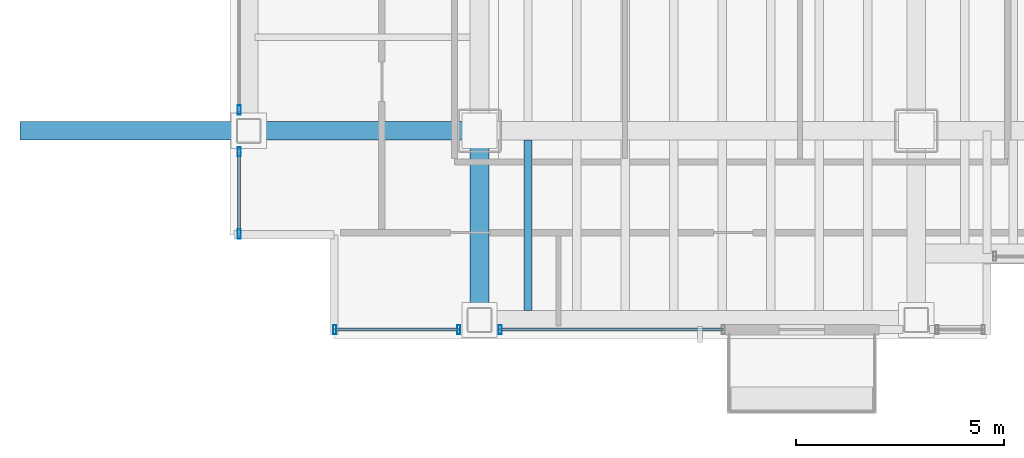
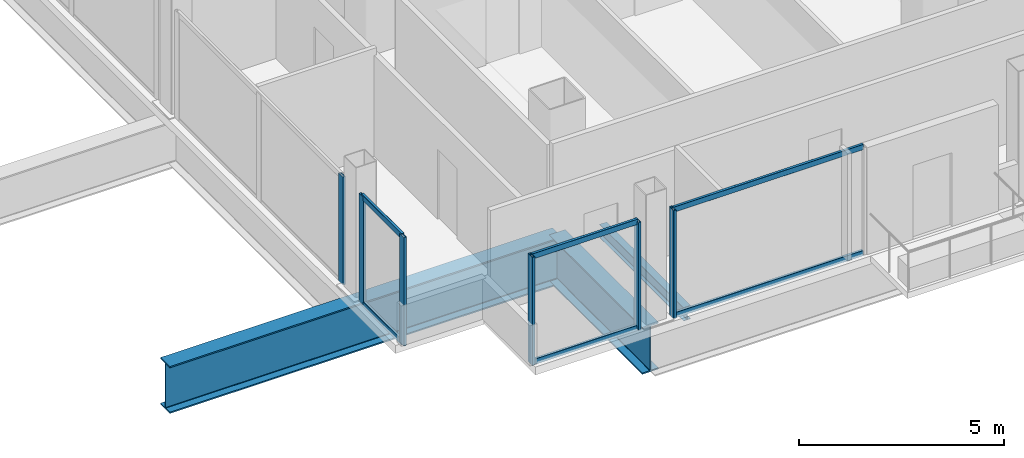
# One storey, part 2 of 23: 12 members, 3 beams, 4 elements without a shape of their own.
"""IFC4 building model written with IfcOpenShell, lengths in metres."""

from ifc_helpers import new_model, si_unit, direction, frame, origin, origin_2d, place, context, subcontext, project, spatial, hollow_rectangle, i_section, extrude, material, material_profile, profile_set, type_object, element, aggregate, save


model = new_model("IFC4")

# Units and contexts
model_context = context("Model", 3, precision=1e-05, world=origin(), true_north=direction((0.0, 1.0)))
body_context = subcontext(model_context, "Body", "Model", "MODEL_VIEW")
ifc_project = project(units=[si_unit("LENGTHUNIT", "METRE"), si_unit("AREAUNIT", "SQUARE_METRE"), si_unit("VOLUMEUNIT", "CUBIC_METRE"), si_unit("PLANEANGLEUNIT", "RADIAN"), si_unit("MASSUNIT", "GRAM", prefix="KILO")], contexts=[model_context])

# Site, building, storey
site_placement = place(None, origin())
site = spatial("IfcSite", under=ifc_project, at=site_placement, CompositionType="ELEMENT")
building_placement = place(site_placement, origin())
building = spatial("IfcBuilding", under=site, at=building_placement, Name="Noeulbin Bourse Tower", CompositionType="ELEMENT")
storey_placement = place(building_placement, frame((0.0, 0.0, 53.800048828125)))
storey = spatial("IfcBuildingStorey", under=building, at=storey_placement, Name="L13", CompositionType="ELEMENT", Elevation=53.800048828125)

# Beams
ifc_material_1 = material(Name="Steel S355", Category="steel")
ifc_material_profile_1 = material_profile(ifc_material_1, i_section(OverallWidth=0.199951171875, OverallDepth=0.39990234375, WebThickness=0.008056640625, FlangeThickness=0.012939453125, FilletRadius=0.01611328125, at=origin_2d()), Name="H-400x200x8x13", Category="LoadBearing")
ifc_profile_set_1 = profile_set([ifc_material_profile_1], Name="Steel S355")
beam_type_1 = type_object("IfcBeamType", Name="BM-SEC-400", PredefinedType="BEAM", material=ifc_profile_set_1)
beam_1_placement = place(storey_placement, frame((14.666748046875, 15.675048828125, -0.43994140625), z_axis=(0.0, 1.0, 0.0), x_axis=(-1.0, 0.0, 0.0)))
element("IfcBeam", 1, at=beam_1_placement, inside=storey, type_object=beam_type_1, Name="Tower Composite Joist L13-01", PredefinedType="BEAM", context=body_context, shape_type="SweptSolid", body=[
    extrude(i_section(OverallWidth=0.199951171875, OverallDepth=0.39990234375, WebThickness=0.008056640625, FlangeThickness=0.012939453125, FilletRadius=0.01611328125, at=origin_2d()), origin(), (0.0, 0.0, 1.0), 4.099853515625),
])
ifc_material_2 = material(Name="Steel S460", Category="steel")
ifc_material_profile_2 = material_profile(ifc_material_2, i_section(OverallWidth=0.449951171875, OverallDepth=1.39990234375, WebThickness=0.02392578125, FlangeThickness=0.0400390625, FilletRadius=0.02392578125, at=origin_2d()), Name="PG-1400x450x24x40", Category="LoadBearing")
ifc_profile_set_2 = profile_set([ifc_material_profile_2], Name="Steel S460")
beam_type_2 = type_object("IfcBeamType", Name="BM-TRF-1400", PredefinedType="USERDEFINED", material=ifc_profile_set_2)
beam_2_placement = place(storey_placement, frame((2.449951171875, 20.0, -0.93994140625), z_axis=(1.0, 0.0, 0.0), x_axis=(0.0, 1.0, 0.0)))
element("IfcBeam", 2, at=beam_2_placement, inside=storey, type_object=beam_type_2, Name="Tower Primary Girder EW L13-1.1", ObjectType="GIRDER", PredefinedType="USERDEFINED", context=body_context, shape_type="SweptSolid", body=[
    extrude(i_section(OverallWidth=0.449951171875, OverallDepth=1.39990234375, WebThickness=0.02392578125, FlangeThickness=0.0400390625, FilletRadius=0.02392578125, at=origin_2d()), origin(), (0.0, 0.0, 1.0), 11.050048828125),
])
beam_3_placement = place(storey_placement, frame((13.5, 15.449951171875, -0.93994140625), z_axis=(0.0, 1.0, 0.0), x_axis=(-1.0, 0.0, 0.0)))
element("IfcBeam", 3, at=beam_3_placement, inside=storey, type_object=beam_type_2, Name="Tower Primary Girder NS L13-1.1", ObjectType="GIRDER", PredefinedType="USERDEFINED", context=body_context, shape_type="SweptSolid", body=[
    extrude(i_section(OverallWidth=0.449951171875, OverallDepth=1.39990234375, WebThickness=0.02392578125, FlangeThickness=0.0400390625, FilletRadius=0.02392578125, at=origin_2d()), origin(), (0.0, 0.0, 1.0), 4.550048828125),
])

# Curtain wall, members
ifc_material_3 = material(Name="Dark Solar-Control Double Glazing", Category="glass")
curtain_wall_type = type_object("IfcCurtainWallType", Name="CW-SYS-2", PredefinedType="NOTDEFINED", material=ifc_material_3)
curtain_wall_1_placement = place(storey_placement, origin())
curtain_wall_1 = element("IfcCurtainWall", 4, at=curtain_wall_1_placement, inside=storey, type_object=curtain_wall_type, Name="Unitised Curtain Wall CW-L13-S1-S1", PredefinedType="NOTDEFINED")
ifc_material_4 = material(Name="Anodised Aluminium 6063-T6", Category="aluminium")
ifc_material_profile_3 = material_profile(ifc_material_4, hollow_rectangle(XDim=0.074951171875, YDim=0.219970703125, WallThickness=0.0048828125, InnerFilletRadius=0.00244140625, OuterFilletRadius=0.0048828125, at=origin_2d()), Name="ALU-MULL-75x220x5", Category="LoadBearing")
ifc_profile_set_3 = profile_set([ifc_material_profile_3], Name="Anodised Aluminium 6063-T6")
member_type_1 = type_object("IfcMemberType", Name="CW-SYS-2-MUL", PredefinedType="MULLION", material=ifc_profile_set_3)
member_1_placement = place(storey_placement, frame((10.02001953125, 15.219970703125, -0.02001953125), z_axis=(0.0, 0.0, 1.0), x_axis=(1.0, 0.0, 0.0)))
member_1 = element("IfcMember", 5, at=member_1_placement, type_object=member_type_1, Name="Curtain Wall Mullion CW-L13-S1-S1-M00", PredefinedType="MULLION", context=body_context, shape_type="SweptSolid", body=[
    extrude(hollow_rectangle(XDim=0.074951171875, YDim=0.219970703125, WallThickness=0.0048828125, InnerFilletRadius=0.00244140625, OuterFilletRadius=0.0048828125, at=origin_2d()), origin(), (0.0, 0.0, 1.0), 3.219970703125),
])
member_2_placement = place(storey_placement, frame((13.0, 15.219970703125, -0.02001953125), z_axis=(0.0, 0.0, 1.0), x_axis=(1.0, 0.0, 0.0)))
member_2 = element("IfcMember", 6, at=member_2_placement, type_object=member_type_1, Name="Curtain Wall Mullion CW-L13-S1-S1-M01", PredefinedType="MULLION", context=body_context, shape_type="SweptSolid", body=[
    extrude(hollow_rectangle(XDim=0.074951171875, YDim=0.219970703125, WallThickness=0.0048828125, InnerFilletRadius=0.00244140625, OuterFilletRadius=0.0048828125, at=origin_2d()), origin(), (0.0, 0.0, 1.0), 3.219970703125),
])

# Curtain wall, member
curtain_wall_2_placement = place(storey_placement, origin())
curtain_wall_2 = element("IfcCurtainWall", 7, at=curtain_wall_2_placement, inside=storey, type_object=curtain_wall_type, Name="Unitised Curtain Wall CW-L13-S1-S2", PredefinedType="NOTDEFINED")
member_3_placement = place(storey_placement, frame((14.0, 15.219970703125, -0.02001953125), z_axis=(0.0, 0.0, 1.0), x_axis=(1.0, 0.0, 0.0)))
member_3 = element("IfcMember", 8, at=member_3_placement, type_object=member_type_1, Name="Curtain Wall Mullion CW-L13-S1-S2-M00", PredefinedType="MULLION", context=body_context, shape_type="SweptSolid", body=[
    extrude(hollow_rectangle(XDim=0.074951171875, YDim=0.219970703125, WallThickness=0.0048828125, InnerFilletRadius=0.00244140625, OuterFilletRadius=0.0048828125, at=origin_2d()), origin(), (0.0, 0.0, 1.0), 3.219970703125),
])

# Curtain wall, members
curtain_wall_3_placement = place(storey_placement, origin())
curtain_wall_3 = element("IfcCurtainWall", 9, at=curtain_wall_3_placement, inside=storey, type_object=curtain_wall_type, Name="Unitised Curtain Wall CW-L13-W-S1", PredefinedType="NOTDEFINED")
member_4_placement = place(storey_placement, frame((7.719970703125, 17.52001953125, -0.02001953125), z_axis=(0.0, 0.0, 1.0), x_axis=(1.0, 0.0, 0.0)))
member_4 = element("IfcMember", 10, at=member_4_placement, type_object=member_type_1, Name="Curtain Wall Mullion CW-L13-W-S1-M00", PredefinedType="MULLION", context=body_context, shape_type="SweptSolid", body=[
    extrude(hollow_rectangle(XDim=0.074951171875, YDim=0.219970703125, WallThickness=0.0048828125, InnerFilletRadius=0.00244140625, OuterFilletRadius=0.0048828125, at=origin_2d()), origin(), (0.0, 0.0, 1.0), 3.219970703125),
])
member_5_placement = place(storey_placement, frame((7.719970703125, 19.5, -0.02001953125), z_axis=(0.0, 0.0, 1.0), x_axis=(1.0, 0.0, 0.0)))
member_5 = element("IfcMember", 11, at=member_5_placement, type_object=member_type_1, Name="Curtain Wall Mullion CW-L13-W-S1-M01", PredefinedType="MULLION", context=body_context, shape_type="SweptSolid", body=[
    extrude(hollow_rectangle(XDim=0.074951171875, YDim=0.219970703125, WallThickness=0.0048828125, InnerFilletRadius=0.00244140625, OuterFilletRadius=0.0048828125, at=origin_2d()), origin(), (0.0, 0.0, 1.0), 3.219970703125),
])

# Curtain wall, member
curtain_wall_4_placement = place(storey_placement, origin())
curtain_wall_4 = element("IfcCurtainWall", 12, at=curtain_wall_4_placement, inside=storey, type_object=curtain_wall_type, Name="Unitised Curtain Wall CW-L13-W-S2", PredefinedType="NOTDEFINED")
member_6_placement = place(storey_placement, frame((7.719970703125, 20.5, -0.02001953125), z_axis=(0.0, 0.0, 1.0), x_axis=(1.0, 0.0, 0.0)))
member_6 = element("IfcMember", 13, at=member_6_placement, type_object=member_type_1, Name="Curtain Wall Mullion CW-L13-W-S2-M00", PredefinedType="MULLION", context=body_context, shape_type="SweptSolid", body=[
    extrude(hollow_rectangle(XDim=0.074951171875, YDim=0.219970703125, WallThickness=0.0048828125, InnerFilletRadius=0.00244140625, OuterFilletRadius=0.0048828125, at=origin_2d()), origin(), (0.0, 0.0, 1.0), 3.219970703125),
])
aggregate(curtain_wall_4, [member_6])

# Member
ifc_material_profile_4 = material_profile(ifc_material_4, hollow_rectangle(XDim=0.074951171875, YDim=0.159912109375, WallThickness=0.0048828125, InnerFilletRadius=0.00244140625, OuterFilletRadius=0.0048828125, at=origin_2d()), Name="ALU-TRAN-75x160x5", Category="LoadBearing")
ifc_profile_set_4 = profile_set([ifc_material_profile_4], Name="Anodised Aluminium 6063-T6")
member_type_2 = type_object("IfcMemberType", Name="CW-SYS-2-TRN", PredefinedType="USERDEFINED", material=ifc_profile_set_4)
member_7_placement = place(storey_placement, frame((10.030029296875, 15.219970703125, 0.010009765625), z_axis=(1.0, 0.0, 0.0), x_axis=(0.0, 1.0, 0.0)))
member_7 = element("IfcMember", 14, at=member_7_placement, type_object=member_type_2, Name="Curtain Wall Transom CW-L13-S1-S1-T00", ObjectType="TRANSOM", PredefinedType="USERDEFINED", context=body_context, shape_type="SweptSolid", body=[
    extrude(hollow_rectangle(XDim=0.074951171875, YDim=0.159912109375, WallThickness=0.0048828125, InnerFilletRadius=0.00244140625, OuterFilletRadius=0.0048828125, at=origin_2d()), origin(), (0.0, 0.0, 1.0), 2.9599609375),
])

member_8_placement = place(storey_placement, frame((10.030029296875, 15.219970703125, 3.169921875), z_axis=(1.0, 0.0, 0.0), x_axis=(0.0, 1.0, 0.0)))
member_8 = element("IfcMember", 15, at=member_8_placement, type_object=member_type_2, Name="Curtain Wall Transom CW-L13-S1-S1-T01", ObjectType="TRANSOM", PredefinedType="USERDEFINED", context=body_context, shape_type="SweptSolid", body=[
    extrude(hollow_rectangle(XDim=0.074951171875, YDim=0.159912109375, WallThickness=0.0048828125, InnerFilletRadius=0.00244140625, OuterFilletRadius=0.0048828125, at=origin_2d()), origin(), (0.0, 0.0, 1.0), 2.9599609375),
])

aggregate(curtain_wall_1, [member_1, member_2, member_7, member_8])

member_9_placement = place(storey_placement, frame((14.010009765625, 15.219970703125, 0.010009765625), z_axis=(1.0, 0.0, 0.0), x_axis=(0.0, 1.0, 0.0)))
member_9 = element("IfcMember", 16, at=member_9_placement, type_object=member_type_2, Name="Curtain Wall Transom CW-L13-S1-S2-T00", ObjectType="TRANSOM", PredefinedType="USERDEFINED", context=body_context, shape_type="SweptSolid", body=[
    extrude(hollow_rectangle(XDim=0.074951171875, YDim=0.159912109375, WallThickness=0.0048828125, InnerFilletRadius=0.00244140625, OuterFilletRadius=0.0048828125, at=origin_2d()), origin(), (0.0, 0.0, 1.0), 5.340087890625),
])

member_10_placement = place(storey_placement, frame((14.010009765625, 15.219970703125, 3.169921875), z_axis=(1.0, 0.0, 0.0), x_axis=(0.0, 1.0, 0.0)))
member_10 = element("IfcMember", 17, at=member_10_placement, type_object=member_type_2, Name="Curtain Wall Transom CW-L13-S1-S2-T01", ObjectType="TRANSOM", PredefinedType="USERDEFINED", context=body_context, shape_type="SweptSolid", body=[
    extrude(hollow_rectangle(XDim=0.074951171875, YDim=0.159912109375, WallThickness=0.0048828125, InnerFilletRadius=0.00244140625, OuterFilletRadius=0.0048828125, at=origin_2d()), origin(), (0.0, 0.0, 1.0), 5.340087890625),
])

aggregate(curtain_wall_2, [member_3, member_9, member_10])

member_11_placement = place(storey_placement, frame((7.719970703125, 17.530029296875, 0.010009765625), z_axis=(0.0, 1.0, 0.0), x_axis=(-1.0, 0.0, 0.0)))
member_11 = element("IfcMember", 18, at=member_11_placement, type_object=member_type_2, Name="Curtain Wall Transom CW-L13-W-S1-T00", ObjectType="TRANSOM", PredefinedType="USERDEFINED", context=body_context, shape_type="SweptSolid", body=[
    extrude(hollow_rectangle(XDim=0.074951171875, YDim=0.159912109375, WallThickness=0.0048828125, InnerFilletRadius=0.00244140625, OuterFilletRadius=0.0048828125, at=origin_2d()), origin(), (0.0, 0.0, 1.0), 1.9599609375),
])

member_12_placement = place(storey_placement, frame((7.719970703125, 17.530029296875, 3.169921875), z_axis=(0.0, 1.0, 0.0), x_axis=(-1.0, 0.0, 0.0)))
member_12 = element("IfcMember", 19, at=member_12_placement, type_object=member_type_2, Name="Curtain Wall Transom CW-L13-W-S1-T01", ObjectType="TRANSOM", PredefinedType="USERDEFINED", context=body_context, shape_type="SweptSolid", body=[
    extrude(hollow_rectangle(XDim=0.074951171875, YDim=0.159912109375, WallThickness=0.0048828125, InnerFilletRadius=0.00244140625, OuterFilletRadius=0.0048828125, at=origin_2d()), origin(), (0.0, 0.0, 1.0), 1.9599609375),
])

aggregate(curtain_wall_3, [member_4, member_5, member_11, member_12])

save(model, "model.ifc")
